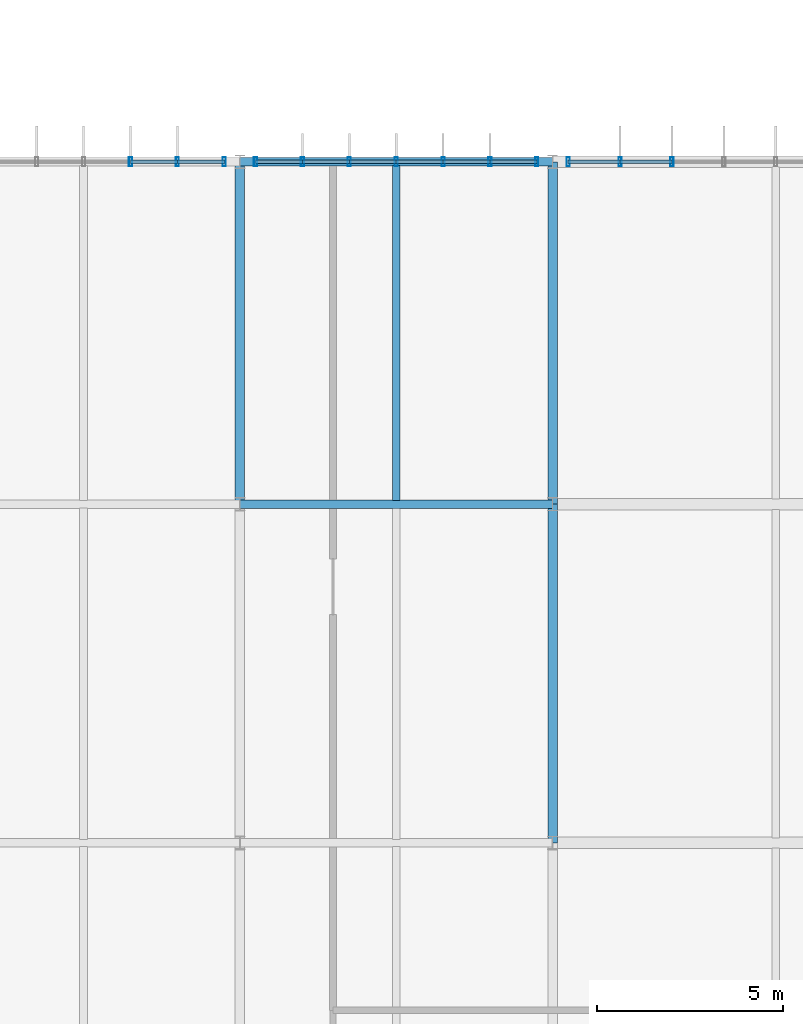
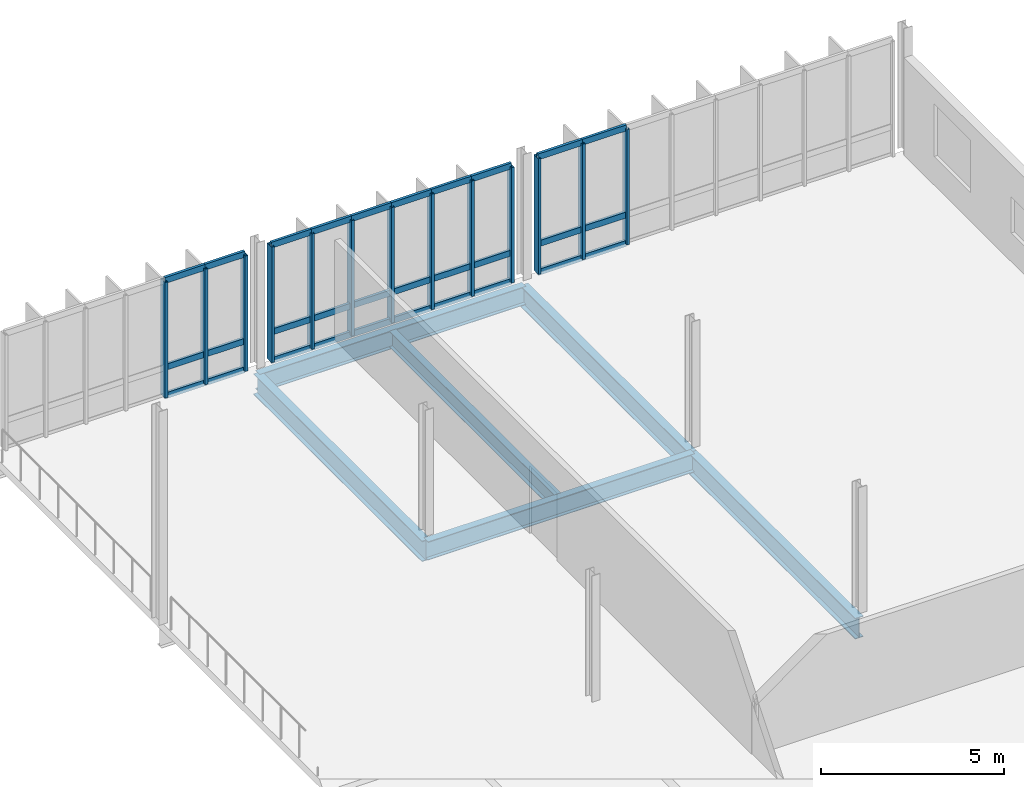
# One storey, part 68 of 107: 43 members, 6 beams, 3 elements without a shape of their own.
"""IFC4 building model written with IfcOpenShell, lengths in metres."""

import ifcopenshell
import ifcopenshell.guid

model = None  # the IFC model being written
_history = None  # IfcOwnerHistory: only IFC2X3 demands one
_inside = {}  # id of a spatial element -> (the spatial element, [elements in it])
_under = {}  # id of a project, library or spatial element -> (it, [spatial elements below it])
_declared = {}  # id of a project -> (the project, [libraries it declares])
_typed = {}  # id of a type object -> (the type object, [elements of that type])
_made_of = {}  # id of a material, layer set ... -> (it, [elements and type objects made of it])


def new_model(schema):
    """Start an empty IFC model of exactly this schema.

    Asked for "IFC4X3", IfcOpenShell would pick the latest addendum, in which some entities
    have other attributes; the version numbers below select the first issue.
    IFC2X3 requires an IfcOwnerHistory on every rooted entity: one is made here for all.
    """
    global model, _history
    if schema == "IFC4X3":
        model = ifcopenshell.file(schema_version=(4, 3, 0, 0))
    else:
        model = ifcopenshell.file(schema=schema)
    _inside.clear()
    _under.clear()
    _declared.clear()
    _typed.clear()
    _made_of.clear()
    _history = None
    if model.schema == "IFC2X3":
        org = make("IfcOrganization", Name="unknown")
        user = make(
            "IfcPersonAndOrganization",
            ThePerson=make("IfcPerson", FamilyName="unknown"),
            TheOrganization=org,
        )
        app = make(
            "IfcApplication",
            ApplicationDeveloper=org,
            Version="unknown",
            ApplicationFullName="unknown",
            ApplicationIdentifier="unknown",
        )
        _history = make(
            "IfcOwnerHistory",
            OwningUser=user,
            OwningApplication=app,
            ChangeAction="ADDED",
            CreationDate=0,
        )
    return model


def make(cls, **values):
    """One entity of the class cls with the attributes given. An attribute that is None is left unset."""
    return model.create_entity(
        cls, **{name: value for name, value in values.items() if value is not None}
    )


def rooted(cls, **values):
    """An entity with a GlobalId (a new one), such as an element, a storey or a relation."""
    return make(cls, GlobalId=ifcopenshell.guid.new(), OwnerHistory=_history, **values)


def si_unit(unit_type, name, prefix=None):
    """IfcSIUnit, for example si_unit("LENGTHUNIT", "METRE", prefix="MILLI")."""
    return make("IfcSIUnit", UnitType=unit_type, Prefix=prefix, Name=name)


def derived_unit(unit_type, elements):
    """IfcDerivedUnit: a product of units, each with its exponent."""
    return make(
        "IfcDerivedUnit",
        Elements=[
            make("IfcDerivedUnitElement", Unit=unit, Exponent=power)
            for unit, power in elements
        ],
        UnitType=unit_type,
    )


def assignment(units):
    """IfcUnitAssignment: the units of a project."""
    return None if units is None else make("IfcUnitAssignment", Units=units)


def point(xyz):
    """IfcCartesianPoint."""
    return None if xyz is None else make("IfcCartesianPoint", Coordinates=xyz)


def direction(xyz):
    """IfcDirection."""
    return None if xyz is None else make("IfcDirection", DirectionRatios=xyz)


def frame(location, z_axis=None, x_axis=None):
    """IfcAxis2Placement3D, a coordinate frame: its origin and axes. An axis left out is left unset."""
    return make(
        "IfcAxis2Placement3D",
        Location=point(location),
        Axis=direction(z_axis),
        RefDirection=direction(x_axis),
    )


def frame_2d(location, x_axis=None):
    """IfcAxis2Placement2D, a coordinate frame in the plane: its origin and x axis."""
    return make(
        "IfcAxis2Placement2D", Location=point(location), RefDirection=direction(x_axis)
    )


def origin():
    """The frame at (0, 0, 0) with its axes left unset."""
    return frame((0.0, 0.0, 0.0))


def origin_2d():
    """The frame at (0, 0) in the plane with its x axis left unset."""
    return frame_2d((0.0, 0.0))


def place(relative_to, where):
    """IfcLocalPlacement: puts the frame where relative to a parent placement (None: the world)."""
    return make(
        "IfcLocalPlacement", PlacementRelTo=relative_to, RelativePlacement=where
    )


def context(
    kind, dimensions, precision=None, world=None, true_north=None, identifier=None
):
    """IfcGeometricRepresentationContext, for example the 3D "Model" context."""
    return make(
        "IfcGeometricRepresentationContext",
        ContextIdentifier=identifier,
        ContextType=kind,
        CoordinateSpaceDimension=dimensions,
        Precision=precision,
        WorldCoordinateSystem=world,
        TrueNorth=true_north,
    )


def subcontext(parent, identifier, kind, view, scale=None):
    """IfcGeometricRepresentationSubContext, for example "Body" below "Model"."""
    return make(
        "IfcGeometricRepresentationSubContext",
        ContextIdentifier=identifier,
        ContextType=kind,
        ParentContext=parent,
        TargetScale=scale,
        TargetView=view,
    )


def project(units=None, contexts=None):
    """IfcProject with its units and contexts."""
    return rooted(
        "IfcProject",
        Name="project",
        RepresentationContexts=contexts,
        UnitsInContext=assignment(units),
    )


def spatial(cls, under=None, at=None, **own):
    """A site, building, storey or space (cls), placed at a placement, below another one or the project."""
    s = rooted(cls, ObjectPlacement=at, **own)
    if under is not None:
        _under.setdefault(under.id(), (under, []))[1].append(s)
    return s


def profile(cls, at=None, kind="AREA", **sizes):
    """A parametric profile (cls). Its sizes go by their IFC names, for example OverallWidth=200.0."""
    return make(cls, ProfileType=kind, Position=at, **sizes)


def hollow_rectangle(**sizes):
    """IfcRectangleHollowProfileDef."""
    return profile("IfcRectangleHollowProfileDef", **sizes)


def i_section(**sizes):
    """IfcIShapeProfileDef."""
    return profile("IfcIShapeProfileDef", **sizes)


def extrude(swept, where, along, depth):
    """IfcExtrudedAreaSolid: the profile swept, set in the frame where, extruded along a direction by depth."""
    return make(
        "IfcExtrudedAreaSolid",
        SweptArea=swept,
        Position=where,
        ExtrudedDirection=direction(along),
        Depth=depth,
    )


def shape(context_of_items, identifier, shape_type, items):
    """IfcShapeRepresentation: the items that make up one representation, for example the "Body"."""
    return make(
        "IfcShapeRepresentation",
        ContextOfItems=context_of_items,
        RepresentationIdentifier=identifier,
        RepresentationType=shape_type,
        Items=items,
    )


def material(Name=None, Category=None):
    """IfcMaterial."""
    return make("IfcMaterial", Name=Name, Category=Category)


def layer(
    of_material, thickness, ventilated=None, Name=None, Category=None, Priority=None
):
    """IfcMaterialLayer: one layer of a wall or slab, of a material (None: an air gap)."""
    return make(
        "IfcMaterialLayer",
        Material=of_material,
        LayerThickness=thickness,
        IsVentilated=ventilated,
        Name=Name,
        Category=Category,
        Priority=Priority,
    )


def layer_set(layers, Name=None):
    """IfcMaterialLayerSet."""
    return make("IfcMaterialLayerSet", MaterialLayers=layers, LayerSetName=Name)


def material_profile(
    of_material, cross_section, Name=None, Category=None, Priority=None
):
    """IfcMaterialProfile: a cross section and its material."""
    return make(
        "IfcMaterialProfile",
        Name=Name,
        Material=of_material,
        Profile=cross_section,
        Priority=Priority,
        Category=Category,
    )


def profile_set(profiles, Name=None, composite=None):
    """IfcMaterialProfileSet."""
    return make(
        "IfcMaterialProfileSet",
        Name=Name,
        MaterialProfiles=profiles,
        CompositeProfile=composite,
    )


def made_of(thing, what):
    """Note that an element or type object is made of a material, layer set ...; save() writes the relation."""
    if what is not None:
        _made_of.setdefault(what.id(), (what, []))[1].append(thing)
    return thing


def type_object(cls, material=None, **own):
    """A type object (cls), such as IfcWallType, which elements share."""
    return made_of(rooted(cls, **own), material)


def element(
    cls,
    number,
    at=None,
    inside=None,
    cuts=None,
    type_object=None,
    material=None,
    context=None,
    identifier="Body",
    shape_type=None,
    held_by="IfcProductDefinitionShape",
    body=None,
    shapes=None,
    **own,
):
    """One element of the class cls, such as IfcWall. Its Tag is "e" and its number.

    at: its placement. inside: the storey or other place that contains it. cuts: it is an
    opening in that element (IfcRelVoidsElement). A single representation is given by context,
    identifier, shape_type and body (its items); several are given by shapes. held_by: the class
    of the entity that holds the representations. save() writes the other relations.
    """
    e = rooted(cls, Tag="e%d" % number, ObjectPlacement=at, **own)
    if body is not None:
        shapes = [shape(context, identifier, shape_type, body)]
    if shapes is not None:
        e.Representation = make(held_by, Representations=shapes)
    if inside is not None:
        _inside.setdefault(inside.id(), (inside, []))[1].append(e)
    if cuts is not None:
        rooted(
            "IfcRelVoidsElement", RelatingBuildingElement=cuts, RelatedOpeningElement=e
        )
    if type_object is not None:
        _typed.setdefault(type_object.id(), (type_object, []))[1].append(e)
    return made_of(e, material)


def aggregate(whole, parts):
    """IfcRelAggregates: a whole, such as a stair, and the parts it consists of."""
    return rooted("IfcRelAggregates", RelatingObject=whole, RelatedObjects=parts)


def save(model, path):
    """Write the relations noted so far, then the file.

    IfcRelAggregates (storeys below a building ...), IfcRelContainedInSpatialStructure (elements
    in a storey), IfcRelDefinesByType, IfcRelAssociatesMaterial and IfcRelDeclares: one each for
    every whole, place, type object, material and project.
    """
    for whole, parts in _under.values():
        aggregate(whole, parts)
    for where, things in _inside.values():
        rooted(
            "IfcRelContainedInSpatialStructure",
            RelatedElements=things,
            RelatingStructure=where,
        )
    for kind, things in _typed.values():
        rooted("IfcRelDefinesByType", RelatedObjects=things, RelatingType=kind)
    for what, things in _made_of.values():
        rooted("IfcRelAssociatesMaterial", RelatedObjects=things, RelatingMaterial=what)
    for by, libraries in _declared.values():
        rooted("IfcRelDeclares", RelatingContext=by, RelatedDefinitions=libraries)
    model.write(path)


model = new_model("IFC4")

# Units and contexts
model_context = context("Model", 3, precision=1e-05, world=origin(), true_north=direction((0.0, 1.0)))
body_context = subcontext(model_context, "Body", "Model", "MODEL_VIEW")
ifc_project = project(units=[si_unit("LENGTHUNIT", "METRE"), si_unit("AREAUNIT", "SQUARE_METRE"), si_unit("VOLUMEUNIT", "CUBIC_METRE"), si_unit("PLANEANGLEUNIT", "RADIAN"), si_unit("MASSUNIT", "GRAM", prefix="KILO"), derived_unit("THERMALTRANSMITTANCEUNIT", [(si_unit("MASSUNIT", "GRAM", prefix="KILO"), 1), (si_unit("TIMEUNIT", "SECOND"), -3), (si_unit("THERMODYNAMICTEMPERATUREUNIT", "KELVIN"), -1)])], contexts=[model_context])

# Site, building, storey
site_placement = place(None, origin())
site = spatial("IfcSite", under=ifc_project, at=site_placement, CompositionType="ELEMENT")
building_placement = place(site_placement, origin())
building = spatial("IfcBuilding", under=site, at=building_placement, Name="Makaiwela Harbour Ferry Terminal", CompositionType="ELEMENT")
storey_placement = place(building_placement, frame((0.0, 0.0, 9.60009765625)))
storey = spatial("IfcBuildingStorey", under=building, at=storey_placement, Name="L02", CompositionType="ELEMENT", Elevation=9.60009765625)

# Curtain wall, members
ifc_material_1 = material(Name="Marine anodised aluminium 6063-T6", Category="aluminium")
ifc_layer_1 = layer(ifc_material_1, 0.199951171875)
ifc_layer_set_1 = layer_set([ifc_layer_1], Name="Marine anodised aluminium 6063-T6")
curtain_wall_type_1 = type_object("IfcCurtainWallType", Name="ENV-CW-09", PredefinedType="USERDEFINED", material=ifc_layer_set_1)
curtain_wall_1_placement = place(storey_placement, origin())
curtain_wall_1 = element("IfcCurtainWall", 1, at=curtain_wall_1_placement, inside=storey, type_object=curtain_wall_type_1, Name="Unitised Curtain Wall CWA-122", ObjectType="UNITIZED CURTAIN WALL", PredefinedType="USERDEFINED")
ifc_material_profile_1 = material_profile(ifc_material_1, hollow_rectangle(XDim=0.0849609375, YDim=0.25, WallThickness=0.0048828125, at=origin_2d()), Name="CWM-250X85")
ifc_profile_set_1 = profile_set([ifc_material_profile_1], Name="Marine anodised aluminium 6063-T6")
member_type_1 = type_object("IfcMemberType", Name="CW-MUL-250", PredefinedType="MULLION", material=ifc_profile_set_1)
member_1_placement = place(storey_placement, frame((144.06005859375, 95.0, 0.0), z_axis=(0.0, 0.0, 1.0), x_axis=(1.0, 0.0, 0.0)))
member_1 = element("IfcMember", 2, at=member_1_placement, type_object=member_type_1, Name="Curtain Wall Mullion CWA-122-5", PredefinedType="MULLION", context=body_context, shape_type="SweptSolid", body=[
    extrude(hollow_rectangle(XDim=0.0849609375, YDim=0.25, WallThickness=0.0048828125, at=origin_2d()), origin(), (0.0, 0.0, 1.0), 3.849853515625),
])
member_2_placement = place(storey_placement, frame((145.320068359375, 95.0, 0.0), z_axis=(0.0, 0.0, 1.0), x_axis=(1.0, 0.0, 0.0)))
member_2 = element("IfcMember", 3, at=member_2_placement, type_object=member_type_1, Name="Curtain Wall Mullion CWA-122-6", PredefinedType="MULLION", context=body_context, shape_type="SweptSolid", body=[
    extrude(hollow_rectangle(XDim=0.0849609375, YDim=0.25, WallThickness=0.0048828125, at=origin_2d()), origin(), (0.0, 0.0, 1.0), 3.849853515625),
])
member_3_placement = place(storey_placement, frame((146.580078125, 95.0, 0.0), z_axis=(0.0, 0.0, 1.0), x_axis=(1.0, 0.0, 0.0)))
member_3 = element("IfcMember", 4, at=member_3_placement, type_object=member_type_1, Name="Curtain Wall Mullion CWA-122-7", PredefinedType="MULLION", context=body_context, shape_type="SweptSolid", body=[
    extrude(hollow_rectangle(XDim=0.0849609375, YDim=0.25, WallThickness=0.0048828125, at=origin_2d()), origin(), (0.0, 0.0, 1.0), 3.849853515625),
])

curtain_wall_2_placement = place(storey_placement, origin())
curtain_wall_2 = element("IfcCurtainWall", 5, at=curtain_wall_2_placement, inside=storey, type_object=curtain_wall_type_1, Name="Unitised Curtain Wall CWA-126", ObjectType="UNITIZED CURTAIN WALL", PredefinedType="USERDEFINED")
member_4_placement = place(storey_placement, frame((147.419921875, 95.0, 0.0), z_axis=(0.0, 0.0, 1.0), x_axis=(1.0, 0.0, 0.0)))
member_4 = element("IfcMember", 6, at=member_4_placement, type_object=member_type_1, Name="Curtain Wall Mullion CWA-126-1", PredefinedType="MULLION", context=body_context, shape_type="SweptSolid", body=[
    extrude(hollow_rectangle(XDim=0.0849609375, YDim=0.25, WallThickness=0.0048828125, at=origin_2d()), origin(), (0.0, 0.0, 1.0), 3.849853515625),
])
member_5_placement = place(storey_placement, frame((148.679931640625, 95.0, 0.0), z_axis=(0.0, 0.0, 1.0), x_axis=(1.0, 0.0, 0.0)))
member_5 = element("IfcMember", 7, at=member_5_placement, type_object=member_type_1, Name="Curtain Wall Mullion CWA-126-2", PredefinedType="MULLION", context=body_context, shape_type="SweptSolid", body=[
    extrude(hollow_rectangle(XDim=0.0849609375, YDim=0.25, WallThickness=0.0048828125, at=origin_2d()), origin(), (0.0, 0.0, 1.0), 3.849853515625),
])
member_6_placement = place(storey_placement, frame((149.93994140625, 95.0, 0.0), z_axis=(0.0, 0.0, 1.0), x_axis=(1.0, 0.0, 0.0)))
member_6 = element("IfcMember", 8, at=member_6_placement, type_object=member_type_1, Name="Curtain Wall Mullion CWA-126-3", PredefinedType="MULLION", context=body_context, shape_type="SweptSolid", body=[
    extrude(hollow_rectangle(XDim=0.0849609375, YDim=0.25, WallThickness=0.0048828125, at=origin_2d()), origin(), (0.0, 0.0, 1.0), 3.849853515625),
])
member_7_placement = place(storey_placement, frame((151.199951171875, 95.0, 0.0), z_axis=(0.0, 0.0, 1.0), x_axis=(1.0, 0.0, 0.0)))
member_7 = element("IfcMember", 9, at=member_7_placement, type_object=member_type_1, Name="Curtain Wall Mullion CWA-126-4", PredefinedType="MULLION", context=body_context, shape_type="SweptSolid", body=[
    extrude(hollow_rectangle(XDim=0.0849609375, YDim=0.25, WallThickness=0.0048828125, at=origin_2d()), origin(), (0.0, 0.0, 1.0), 3.849853515625),
])
member_8_placement = place(storey_placement, frame((152.4599609375, 95.0, 0.0), z_axis=(0.0, 0.0, 1.0), x_axis=(1.0, 0.0, 0.0)))
member_8 = element("IfcMember", 10, at=member_8_placement, type_object=member_type_1, Name="Curtain Wall Mullion CWA-126-5", PredefinedType="MULLION", context=body_context, shape_type="SweptSolid", body=[
    extrude(hollow_rectangle(XDim=0.0849609375, YDim=0.25, WallThickness=0.0048828125, at=origin_2d()), origin(), (0.0, 0.0, 1.0), 3.849853515625),
])
member_9_placement = place(storey_placement, frame((153.719970703125, 95.0, 0.0), z_axis=(0.0, 0.0, 1.0), x_axis=(1.0, 0.0, 0.0)))
member_9 = element("IfcMember", 11, at=member_9_placement, type_object=member_type_1, Name="Curtain Wall Mullion CWA-126-6", PredefinedType="MULLION", context=body_context, shape_type="SweptSolid", body=[
    extrude(hollow_rectangle(XDim=0.0849609375, YDim=0.25, WallThickness=0.0048828125, at=origin_2d()), origin(), (0.0, 0.0, 1.0), 3.849853515625),
])
member_10_placement = place(storey_placement, frame((154.97998046875, 95.0, 0.0), z_axis=(0.0, 0.0, 1.0), x_axis=(1.0, 0.0, 0.0)))
member_10 = element("IfcMember", 12, at=member_10_placement, type_object=member_type_1, Name="Curtain Wall Mullion CWA-126-7", PredefinedType="MULLION", context=body_context, shape_type="SweptSolid", body=[
    extrude(hollow_rectangle(XDim=0.0849609375, YDim=0.25, WallThickness=0.0048828125, at=origin_2d()), origin(), (0.0, 0.0, 1.0), 3.849853515625),
])

ifc_layer_2 = layer(ifc_material_1, 0.199951171875)
ifc_layer_set_2 = layer_set([ifc_layer_2], Name="Marine anodised aluminium 6063-T6")
curtain_wall_type_2 = type_object("IfcCurtainWallType", Name="ENV-CW-18", PredefinedType="USERDEFINED", material=ifc_layer_set_2)
curtain_wall_3_placement = place(storey_placement, origin())
curtain_wall_3 = element("IfcCurtainWall", 13, at=curtain_wall_3_placement, inside=storey, type_object=curtain_wall_type_2, Name="Unitised Curtain Wall CWA-130", ObjectType="UNITIZED CURTAIN WALL", PredefinedType="USERDEFINED")
member_11_placement = place(storey_placement, frame((155.820068359375, 95.0, 0.0), z_axis=(0.0, 0.0, 1.0), x_axis=(1.0, 0.0, 0.0)))
member_11 = element("IfcMember", 14, at=member_11_placement, type_object=member_type_1, Name="Curtain Wall Mullion CWA-130-1", PredefinedType="MULLION", context=body_context, shape_type="SweptSolid", body=[
    extrude(hollow_rectangle(XDim=0.0849609375, YDim=0.25, WallThickness=0.0048828125, at=origin_2d()), origin(), (0.0, 0.0, 1.0), 3.849853515625),
])
member_12_placement = place(storey_placement, frame((157.215087890625, 95.0, 0.0), z_axis=(0.0, 0.0, 1.0), x_axis=(1.0, 0.0, 0.0)))
member_12 = element("IfcMember", 15, at=member_12_placement, type_object=member_type_1, Name="Curtain Wall Mullion CWA-130-2", PredefinedType="MULLION", context=body_context, shape_type="SweptSolid", body=[
    extrude(hollow_rectangle(XDim=0.0849609375, YDim=0.25, WallThickness=0.0048828125, at=origin_2d()), origin(), (0.0, 0.0, 1.0), 3.849853515625),
])
member_13_placement = place(storey_placement, frame((158.610107421875, 95.0, 0.0), z_axis=(0.0, 0.0, 1.0), x_axis=(1.0, 0.0, 0.0)))
member_13 = element("IfcMember", 16, at=member_13_placement, type_object=member_type_1, Name="Curtain Wall Mullion CWA-130-3", PredefinedType="MULLION", context=body_context, shape_type="SweptSolid", body=[
    extrude(hollow_rectangle(XDim=0.0849609375, YDim=0.25, WallThickness=0.0048828125, at=origin_2d()), origin(), (0.0, 0.0, 1.0), 3.849853515625),
])

# Member
ifc_material_profile_2 = material_profile(ifc_material_1, hollow_rectangle(XDim=0.0849609375, YDim=0.199951171875, WallThickness=0.0048828125, at=origin_2d()), Name="CWT-200X85")
ifc_profile_set_2 = profile_set([ifc_material_profile_2], Name="Marine anodised aluminium 6063-T6")
member_type_2 = type_object("IfcMemberType", Name="CW-TRN-200", PredefinedType="USERDEFINED", material=ifc_profile_set_2)
member_14_placement = place(storey_placement, frame((144.06005859375, 95.0, 0.0), z_axis=(1.0, 0.0, 0.0), x_axis=(0.0, 1.0, 0.0)))
member_14 = element("IfcMember", 17, at=member_14_placement, type_object=member_type_2, Name="Curtain Wall Transom CWA-122-5-1", ObjectType="TRANSOM", PredefinedType="USERDEFINED", context=body_context, shape_type="SweptSolid", body=[
    extrude(hollow_rectangle(XDim=0.0849609375, YDim=0.199951171875, WallThickness=0.0048828125, at=origin_2d()), origin(), (0.0, 0.0, 1.0), 1.260009765625),
])

member_15_placement = place(storey_placement, frame((144.06005859375, 95.0, 0.949951171875), z_axis=(1.0, 0.0, 0.0), x_axis=(0.0, 1.0, 0.0)))
member_15 = element("IfcMember", 18, at=member_15_placement, type_object=member_type_2, Name="Curtain Wall Transom CWA-122-5-2", ObjectType="TRANSOM", PredefinedType="USERDEFINED", context=body_context, shape_type="SweptSolid", body=[
    extrude(hollow_rectangle(XDim=0.0849609375, YDim=0.199951171875, WallThickness=0.0048828125, at=origin_2d()), origin(), (0.0, 0.0, 1.0), 1.260009765625),
])

member_16_placement = place(storey_placement, frame((144.06005859375, 95.0, 3.849853515625), z_axis=(1.0, 0.0, 0.0), x_axis=(0.0, 1.0, 0.0)))
member_16 = element("IfcMember", 19, at=member_16_placement, type_object=member_type_2, Name="Curtain Wall Transom CWA-122-5-3", ObjectType="TRANSOM", PredefinedType="USERDEFINED", context=body_context, shape_type="SweptSolid", body=[
    extrude(hollow_rectangle(XDim=0.0849609375, YDim=0.199951171875, WallThickness=0.0048828125, at=origin_2d()), origin(), (0.0, 0.0, 1.0), 1.260009765625),
])

member_17_placement = place(storey_placement, frame((145.320068359375, 95.0, 0.0), z_axis=(1.0, 0.0, 0.0), x_axis=(0.0, 1.0, 0.0)))
member_17 = element("IfcMember", 20, at=member_17_placement, type_object=member_type_2, Name="Curtain Wall Transom CWA-122-6-1", ObjectType="TRANSOM", PredefinedType="USERDEFINED", context=body_context, shape_type="SweptSolid", body=[
    extrude(hollow_rectangle(XDim=0.0849609375, YDim=0.199951171875, WallThickness=0.0048828125, at=origin_2d()), origin(), (0.0, 0.0, 1.0), 1.260009765625),
])

member_18_placement = place(storey_placement, frame((145.320068359375, 95.0, 0.949951171875), z_axis=(1.0, 0.0, 0.0), x_axis=(0.0, 1.0, 0.0)))
member_18 = element("IfcMember", 21, at=member_18_placement, type_object=member_type_2, Name="Curtain Wall Transom CWA-122-6-2", ObjectType="TRANSOM", PredefinedType="USERDEFINED", context=body_context, shape_type="SweptSolid", body=[
    extrude(hollow_rectangle(XDim=0.0849609375, YDim=0.199951171875, WallThickness=0.0048828125, at=origin_2d()), origin(), (0.0, 0.0, 1.0), 1.260009765625),
])

member_19_placement = place(storey_placement, frame((145.320068359375, 95.0, 3.849853515625), z_axis=(1.0, 0.0, 0.0), x_axis=(0.0, 1.0, 0.0)))
member_19 = element("IfcMember", 22, at=member_19_placement, type_object=member_type_2, Name="Curtain Wall Transom CWA-122-6-3", ObjectType="TRANSOM", PredefinedType="USERDEFINED", context=body_context, shape_type="SweptSolid", body=[
    extrude(hollow_rectangle(XDim=0.0849609375, YDim=0.199951171875, WallThickness=0.0048828125, at=origin_2d()), origin(), (0.0, 0.0, 1.0), 1.260009765625),
])

aggregate(curtain_wall_1, [member_1, member_2, member_3, member_14, member_15, member_16, member_17, member_18, member_19])

member_20_placement = place(storey_placement, frame((147.419921875, 95.0, 0.0), z_axis=(1.0, 0.0, 0.0), x_axis=(0.0, 1.0, 0.0)))
member_20 = element("IfcMember", 23, at=member_20_placement, type_object=member_type_2, Name="Curtain Wall Transom CWA-126-1-1", ObjectType="TRANSOM", PredefinedType="USERDEFINED", context=body_context, shape_type="SweptSolid", body=[
    extrude(hollow_rectangle(XDim=0.0849609375, YDim=0.199951171875, WallThickness=0.0048828125, at=origin_2d()), origin(), (0.0, 0.0, 1.0), 1.260009765625),
])

member_21_placement = place(storey_placement, frame((147.419921875, 95.0, 0.949951171875), z_axis=(1.0, 0.0, 0.0), x_axis=(0.0, 1.0, 0.0)))
member_21 = element("IfcMember", 24, at=member_21_placement, type_object=member_type_2, Name="Curtain Wall Transom CWA-126-1-2", ObjectType="TRANSOM", PredefinedType="USERDEFINED", context=body_context, shape_type="SweptSolid", body=[
    extrude(hollow_rectangle(XDim=0.0849609375, YDim=0.199951171875, WallThickness=0.0048828125, at=origin_2d()), origin(), (0.0, 0.0, 1.0), 1.260009765625),
])

member_22_placement = place(storey_placement, frame((147.419921875, 95.0, 3.849853515625), z_axis=(1.0, 0.0, 0.0), x_axis=(0.0, 1.0, 0.0)))
member_22 = element("IfcMember", 25, at=member_22_placement, type_object=member_type_2, Name="Curtain Wall Transom CWA-126-1-3", ObjectType="TRANSOM", PredefinedType="USERDEFINED", context=body_context, shape_type="SweptSolid", body=[
    extrude(hollow_rectangle(XDim=0.0849609375, YDim=0.199951171875, WallThickness=0.0048828125, at=origin_2d()), origin(), (0.0, 0.0, 1.0), 1.260009765625),
])

member_23_placement = place(storey_placement, frame((148.679931640625, 95.0, 0.0), z_axis=(1.0, 0.0, 0.0), x_axis=(0.0, 1.0, 0.0)))
member_23 = element("IfcMember", 26, at=member_23_placement, type_object=member_type_2, Name="Curtain Wall Transom CWA-126-2-1", ObjectType="TRANSOM", PredefinedType="USERDEFINED", context=body_context, shape_type="SweptSolid", body=[
    extrude(hollow_rectangle(XDim=0.0849609375, YDim=0.199951171875, WallThickness=0.0048828125, at=origin_2d()), origin(), (0.0, 0.0, 1.0), 1.260009765625),
])

member_24_placement = place(storey_placement, frame((148.679931640625, 95.0, 0.949951171875), z_axis=(1.0, 0.0, 0.0), x_axis=(0.0, 1.0, 0.0)))
member_24 = element("IfcMember", 27, at=member_24_placement, type_object=member_type_2, Name="Curtain Wall Transom CWA-126-2-2", ObjectType="TRANSOM", PredefinedType="USERDEFINED", context=body_context, shape_type="SweptSolid", body=[
    extrude(hollow_rectangle(XDim=0.0849609375, YDim=0.199951171875, WallThickness=0.0048828125, at=origin_2d()), origin(), (0.0, 0.0, 1.0), 1.260009765625),
])

member_25_placement = place(storey_placement, frame((148.679931640625, 95.0, 3.849853515625), z_axis=(1.0, 0.0, 0.0), x_axis=(0.0, 1.0, 0.0)))
member_25 = element("IfcMember", 28, at=member_25_placement, type_object=member_type_2, Name="Curtain Wall Transom CWA-126-2-3", ObjectType="TRANSOM", PredefinedType="USERDEFINED", context=body_context, shape_type="SweptSolid", body=[
    extrude(hollow_rectangle(XDim=0.0849609375, YDim=0.199951171875, WallThickness=0.0048828125, at=origin_2d()), origin(), (0.0, 0.0, 1.0), 1.260009765625),
])

member_26_placement = place(storey_placement, frame((149.93994140625, 95.0, 0.0), z_axis=(1.0, 0.0, 0.0), x_axis=(0.0, 1.0, 0.0)))
member_26 = element("IfcMember", 29, at=member_26_placement, type_object=member_type_2, Name="Curtain Wall Transom CWA-126-3-1", ObjectType="TRANSOM", PredefinedType="USERDEFINED", context=body_context, shape_type="SweptSolid", body=[
    extrude(hollow_rectangle(XDim=0.0849609375, YDim=0.199951171875, WallThickness=0.0048828125, at=origin_2d()), origin(), (0.0, 0.0, 1.0), 1.260009765625),
])

member_27_placement = place(storey_placement, frame((149.93994140625, 95.0, 0.949951171875), z_axis=(1.0, 0.0, 0.0), x_axis=(0.0, 1.0, 0.0)))
member_27 = element("IfcMember", 30, at=member_27_placement, type_object=member_type_2, Name="Curtain Wall Transom CWA-126-3-2", ObjectType="TRANSOM", PredefinedType="USERDEFINED", context=body_context, shape_type="SweptSolid", body=[
    extrude(hollow_rectangle(XDim=0.0849609375, YDim=0.199951171875, WallThickness=0.0048828125, at=origin_2d()), origin(), (0.0, 0.0, 1.0), 1.260009765625),
])

member_28_placement = place(storey_placement, frame((149.93994140625, 95.0, 3.849853515625), z_axis=(1.0, 0.0, 0.0), x_axis=(0.0, 1.0, 0.0)))
member_28 = element("IfcMember", 31, at=member_28_placement, type_object=member_type_2, Name="Curtain Wall Transom CWA-126-3-3", ObjectType="TRANSOM", PredefinedType="USERDEFINED", context=body_context, shape_type="SweptSolid", body=[
    extrude(hollow_rectangle(XDim=0.0849609375, YDim=0.199951171875, WallThickness=0.0048828125, at=origin_2d()), origin(), (0.0, 0.0, 1.0), 1.260009765625),
])

member_29_placement = place(storey_placement, frame((151.199951171875, 95.0, 0.0), z_axis=(1.0, 0.0, 0.0), x_axis=(0.0, 1.0, 0.0)))
member_29 = element("IfcMember", 32, at=member_29_placement, type_object=member_type_2, Name="Curtain Wall Transom CWA-126-4-1", ObjectType="TRANSOM", PredefinedType="USERDEFINED", context=body_context, shape_type="SweptSolid", body=[
    extrude(hollow_rectangle(XDim=0.0849609375, YDim=0.199951171875, WallThickness=0.0048828125, at=origin_2d()), origin(), (0.0, 0.0, 1.0), 1.260009765625),
])

member_30_placement = place(storey_placement, frame((151.199951171875, 95.0, 0.949951171875), z_axis=(1.0, 0.0, 0.0), x_axis=(0.0, 1.0, 0.0)))
member_30 = element("IfcMember", 33, at=member_30_placement, type_object=member_type_2, Name="Curtain Wall Transom CWA-126-4-2", ObjectType="TRANSOM", PredefinedType="USERDEFINED", context=body_context, shape_type="SweptSolid", body=[
    extrude(hollow_rectangle(XDim=0.0849609375, YDim=0.199951171875, WallThickness=0.0048828125, at=origin_2d()), origin(), (0.0, 0.0, 1.0), 1.260009765625),
])

member_31_placement = place(storey_placement, frame((151.199951171875, 95.0, 3.849853515625), z_axis=(1.0, 0.0, 0.0), x_axis=(0.0, 1.0, 0.0)))
member_31 = element("IfcMember", 34, at=member_31_placement, type_object=member_type_2, Name="Curtain Wall Transom CWA-126-4-3", ObjectType="TRANSOM", PredefinedType="USERDEFINED", context=body_context, shape_type="SweptSolid", body=[
    extrude(hollow_rectangle(XDim=0.0849609375, YDim=0.199951171875, WallThickness=0.0048828125, at=origin_2d()), origin(), (0.0, 0.0, 1.0), 1.260009765625),
])

member_32_placement = place(storey_placement, frame((152.4599609375, 95.0, 0.0), z_axis=(1.0, 0.0, 0.0), x_axis=(0.0, 1.0, 0.0)))
member_32 = element("IfcMember", 35, at=member_32_placement, type_object=member_type_2, Name="Curtain Wall Transom CWA-126-5-1", ObjectType="TRANSOM", PredefinedType="USERDEFINED", context=body_context, shape_type="SweptSolid", body=[
    extrude(hollow_rectangle(XDim=0.0849609375, YDim=0.199951171875, WallThickness=0.0048828125, at=origin_2d()), origin(), (0.0, 0.0, 1.0), 1.260009765625),
])

member_33_placement = place(storey_placement, frame((152.4599609375, 95.0, 0.949951171875), z_axis=(1.0, 0.0, 0.0), x_axis=(0.0, 1.0, 0.0)))
member_33 = element("IfcMember", 36, at=member_33_placement, type_object=member_type_2, Name="Curtain Wall Transom CWA-126-5-2", ObjectType="TRANSOM", PredefinedType="USERDEFINED", context=body_context, shape_type="SweptSolid", body=[
    extrude(hollow_rectangle(XDim=0.0849609375, YDim=0.199951171875, WallThickness=0.0048828125, at=origin_2d()), origin(), (0.0, 0.0, 1.0), 1.260009765625),
])

member_34_placement = place(storey_placement, frame((152.4599609375, 95.0, 3.849853515625), z_axis=(1.0, 0.0, 0.0), x_axis=(0.0, 1.0, 0.0)))
member_34 = element("IfcMember", 37, at=member_34_placement, type_object=member_type_2, Name="Curtain Wall Transom CWA-126-5-3", ObjectType="TRANSOM", PredefinedType="USERDEFINED", context=body_context, shape_type="SweptSolid", body=[
    extrude(hollow_rectangle(XDim=0.0849609375, YDim=0.199951171875, WallThickness=0.0048828125, at=origin_2d()), origin(), (0.0, 0.0, 1.0), 1.260009765625),
])

member_35_placement = place(storey_placement, frame((153.719970703125, 95.0, 0.0), z_axis=(1.0, 0.0, 0.0), x_axis=(0.0, 1.0, 0.0)))
member_35 = element("IfcMember", 38, at=member_35_placement, type_object=member_type_2, Name="Curtain Wall Transom CWA-126-6-1", ObjectType="TRANSOM", PredefinedType="USERDEFINED", context=body_context, shape_type="SweptSolid", body=[
    extrude(hollow_rectangle(XDim=0.0849609375, YDim=0.199951171875, WallThickness=0.0048828125, at=origin_2d()), origin(), (0.0, 0.0, 1.0), 1.260009765625),
])

member_36_placement = place(storey_placement, frame((153.719970703125, 95.0, 0.949951171875), z_axis=(1.0, 0.0, 0.0), x_axis=(0.0, 1.0, 0.0)))
member_36 = element("IfcMember", 39, at=member_36_placement, type_object=member_type_2, Name="Curtain Wall Transom CWA-126-6-2", ObjectType="TRANSOM", PredefinedType="USERDEFINED", context=body_context, shape_type="SweptSolid", body=[
    extrude(hollow_rectangle(XDim=0.0849609375, YDim=0.199951171875, WallThickness=0.0048828125, at=origin_2d()), origin(), (0.0, 0.0, 1.0), 1.260009765625),
])

member_37_placement = place(storey_placement, frame((153.719970703125, 95.0, 3.849853515625), z_axis=(1.0, 0.0, 0.0), x_axis=(0.0, 1.0, 0.0)))
member_37 = element("IfcMember", 40, at=member_37_placement, type_object=member_type_2, Name="Curtain Wall Transom CWA-126-6-3", ObjectType="TRANSOM", PredefinedType="USERDEFINED", context=body_context, shape_type="SweptSolid", body=[
    extrude(hollow_rectangle(XDim=0.0849609375, YDim=0.199951171875, WallThickness=0.0048828125, at=origin_2d()), origin(), (0.0, 0.0, 1.0), 1.260009765625),
])

aggregate(curtain_wall_2, [member_4, member_5, member_6, member_7, member_8, member_9, member_10, member_20, member_21, member_22, member_23, member_24, member_25, member_26, member_27, member_28, member_29, member_30, member_31, member_32, member_33, member_34, member_35, member_36, member_37])

member_38_placement = place(storey_placement, frame((155.820068359375, 95.0, 0.0), z_axis=(1.0, 0.0, 0.0), x_axis=(0.0, 1.0, 0.0)))
member_38 = element("IfcMember", 41, at=member_38_placement, type_object=member_type_2, Name="Curtain Wall Transom CWA-130-1-1", ObjectType="TRANSOM", PredefinedType="USERDEFINED", context=body_context, shape_type="SweptSolid", body=[
    extrude(hollow_rectangle(XDim=0.0849609375, YDim=0.199951171875, WallThickness=0.0048828125, at=origin_2d()), origin(), (0.0, 0.0, 1.0), 1.39501953125),
])

member_39_placement = place(storey_placement, frame((155.820068359375, 95.0, 0.949951171875), z_axis=(1.0, 0.0, 0.0), x_axis=(0.0, 1.0, 0.0)))
member_39 = element("IfcMember", 42, at=member_39_placement, type_object=member_type_2, Name="Curtain Wall Transom CWA-130-1-2", ObjectType="TRANSOM", PredefinedType="USERDEFINED", context=body_context, shape_type="SweptSolid", body=[
    extrude(hollow_rectangle(XDim=0.0849609375, YDim=0.199951171875, WallThickness=0.0048828125, at=origin_2d()), origin(), (0.0, 0.0, 1.0), 1.39501953125),
])

member_40_placement = place(storey_placement, frame((155.820068359375, 95.0, 3.849853515625), z_axis=(1.0, 0.0, 0.0), x_axis=(0.0, 1.0, 0.0)))
member_40 = element("IfcMember", 43, at=member_40_placement, type_object=member_type_2, Name="Curtain Wall Transom CWA-130-1-3", ObjectType="TRANSOM", PredefinedType="USERDEFINED", context=body_context, shape_type="SweptSolid", body=[
    extrude(hollow_rectangle(XDim=0.0849609375, YDim=0.199951171875, WallThickness=0.0048828125, at=origin_2d()), origin(), (0.0, 0.0, 1.0), 1.39501953125),
])

member_41_placement = place(storey_placement, frame((157.215087890625, 95.0, 0.0), z_axis=(1.0, 0.0, 0.0), x_axis=(0.0, 1.0, 0.0)))
member_41 = element("IfcMember", 44, at=member_41_placement, type_object=member_type_2, Name="Curtain Wall Transom CWA-130-2-1", ObjectType="TRANSOM", PredefinedType="USERDEFINED", context=body_context, shape_type="SweptSolid", body=[
    extrude(hollow_rectangle(XDim=0.0849609375, YDim=0.199951171875, WallThickness=0.0048828125, at=origin_2d()), origin(), (0.0, 0.0, 1.0), 1.39501953125),
])

member_42_placement = place(storey_placement, frame((157.215087890625, 95.0, 0.949951171875), z_axis=(1.0, 0.0, 0.0), x_axis=(0.0, 1.0, 0.0)))
member_42 = element("IfcMember", 45, at=member_42_placement, type_object=member_type_2, Name="Curtain Wall Transom CWA-130-2-2", ObjectType="TRANSOM", PredefinedType="USERDEFINED", context=body_context, shape_type="SweptSolid", body=[
    extrude(hollow_rectangle(XDim=0.0849609375, YDim=0.199951171875, WallThickness=0.0048828125, at=origin_2d()), origin(), (0.0, 0.0, 1.0), 1.39501953125),
])

member_43_placement = place(storey_placement, frame((157.215087890625, 95.0, 3.849853515625), z_axis=(1.0, 0.0, 0.0), x_axis=(0.0, 1.0, 0.0)))
member_43 = element("IfcMember", 46, at=member_43_placement, type_object=member_type_2, Name="Curtain Wall Transom CWA-130-2-3", ObjectType="TRANSOM", PredefinedType="USERDEFINED", context=body_context, shape_type="SweptSolid", body=[
    extrude(hollow_rectangle(XDim=0.0849609375, YDim=0.199951171875, WallThickness=0.0048828125, at=origin_2d()), origin(), (0.0, 0.0, 1.0), 1.39501953125),
])

aggregate(curtain_wall_3, [member_11, member_12, member_13, member_38, member_39, member_40, member_41, member_42, member_43])

# Beams
ifc_material_2 = material(Name="Steel ASTM A992 Grade 50", Category="steel")
ifc_material_profile_3 = material_profile(ifc_material_2, i_section(OverallWidth=0.2099609375, OverallDepth=0.537109375, WebThickness=0.010986328125, FlangeThickness=0.017333984375, at=origin_2d()), Name="W21X68")
ifc_profile_set_3 = profile_set([ifc_material_profile_3], Name="Steel ASTM A992 Grade 50")
beam_type_1 = type_object("IfcBeamType", Name="STR-BM-W21X68", PredefinedType="BEAM", material=ifc_profile_set_3)
beam_1_placement = place(storey_placement, frame((151.199951171875, 85.896484375, -0.528564453125), z_axis=(0.0, 1.0, 0.0), x_axis=(-1.0, 0.0, 0.0)))
element("IfcBeam", 47, at=beam_1_placement, inside=storey, type_object=beam_type_1, Name="Secondary floor beam 1541", PredefinedType="BEAM", context=body_context, shape_type="SweptSolid", body=[
    extrude(i_section(OverallWidth=0.2099609375, OverallDepth=0.537109375, WebThickness=0.010986328125, FlangeThickness=0.017333984375, at=origin_2d()), origin(), (0.0, 0.0, 1.0), 9.007080078125),
])
ifc_material_profile_4 = material_profile(ifc_material_2, i_section(OverallWidth=0.22900390625, OverallDepth=0.612060546875, WebThickness=0.011962890625, FlangeThickness=0.01953125, at=origin_2d()), Name="W24X84")
ifc_profile_set_4 = profile_set([ifc_material_profile_4], Name="Steel ASTM A992 Grade 50")
beam_type_2 = type_object("IfcBeamType", Name="STR-GRD-W24X84", PredefinedType="USERDEFINED", material=ifc_profile_set_4)
for number, where, z_axis, x_axis, name in (
    (48, (147.0, 85.800048828125, -0.566162109375), (1.0, 0.0, 0.0), (0.0, 1.0, 0.0), "Primary X girder 1341"),
    (49, (147.0, 95.0, -0.566162109375), (1.0, 0.0, 0.0), (0.0, 1.0, 0.0), "Primary X girder 1344"),
):
    element("IfcBeam", number, at=place(storey_placement, frame(where, z_axis=z_axis, x_axis=x_axis)), inside=storey, type_object=beam_type_2, Name=name, ObjectType="GIRDER", PredefinedType="USERDEFINED", context=body_context, shape_type="SweptSolid", body=[
        extrude(i_section(OverallWidth=0.22900390625, OverallDepth=0.612060546875, WebThickness=0.011962890625, FlangeThickness=0.01953125, at=origin_2d()), origin(), (0.0, 0.0, 1.0), 8.39990234375),
    ])
ifc_material_profile_5 = material_profile(ifc_material_2, i_section(OverallWidth=0.256103515625, OverallDepth=0.693115234375, WebThickness=0.014404296875, FlangeThickness=0.023681640625, at=origin_2d()), Name="W27X114")
ifc_profile_set_5 = profile_set([ifc_material_profile_5], Name="Steel ASTM A992 Grade 50")
beam_type_3 = type_object("IfcBeamType", Name="STR-GRD-W27X114", PredefinedType="USERDEFINED", material=ifc_profile_set_5)
beam_2_placement = place(storey_placement, frame((147.0, 85.800048828125, -0.606689453125), z_axis=(0.0, 1.0, 0.0), x_axis=(-1.0, 0.0, 0.0)))
element("IfcBeam", 50, at=beam_2_placement, inside=storey, type_object=beam_type_3, Name="Primary Y girder 1438", ObjectType="GIRDER", PredefinedType="USERDEFINED", context=body_context, shape_type="SweptSolid", body=[
    extrude(i_section(OverallWidth=0.256103515625, OverallDepth=0.693115234375, WebThickness=0.014404296875, FlangeThickness=0.023681640625, at=origin_2d()), origin(), (0.0, 0.0, 1.0), 9.199951171875),
])
beam_3_placement = place(storey_placement, frame((155.39990234375, 76.699951171875, -0.606689453125), z_axis=(0.0, 1.0, 0.0), x_axis=(-1.0, 0.0, 0.0)))
element("IfcBeam", 51, at=beam_3_placement, inside=storey, type_object=beam_type_3, Name="Primary Y girder 1448", ObjectType="GIRDER", PredefinedType="USERDEFINED", context=body_context, shape_type="SweptSolid", body=[
    extrude(i_section(OverallWidth=0.256103515625, OverallDepth=0.693115234375, WebThickness=0.014404296875, FlangeThickness=0.023681640625, at=origin_2d()), origin(), (0.0, 0.0, 1.0), 9.10009765625),
])
beam_4_placement = place(storey_placement, frame((155.39990234375, 85.800048828125, -0.606689453125), z_axis=(0.0, 1.0, 0.0), x_axis=(-1.0, 0.0, 0.0)))
element("IfcBeam", 52, at=beam_4_placement, inside=storey, type_object=beam_type_3, Name="Primary Y girder 1449", ObjectType="GIRDER", PredefinedType="USERDEFINED", context=body_context, shape_type="SweptSolid", body=[
    extrude(i_section(OverallWidth=0.256103515625, OverallDepth=0.693115234375, WebThickness=0.014404296875, FlangeThickness=0.023681640625, at=origin_2d()), origin(), (0.0, 0.0, 1.0), 9.199951171875),
])

save(model, "model.ifc")
